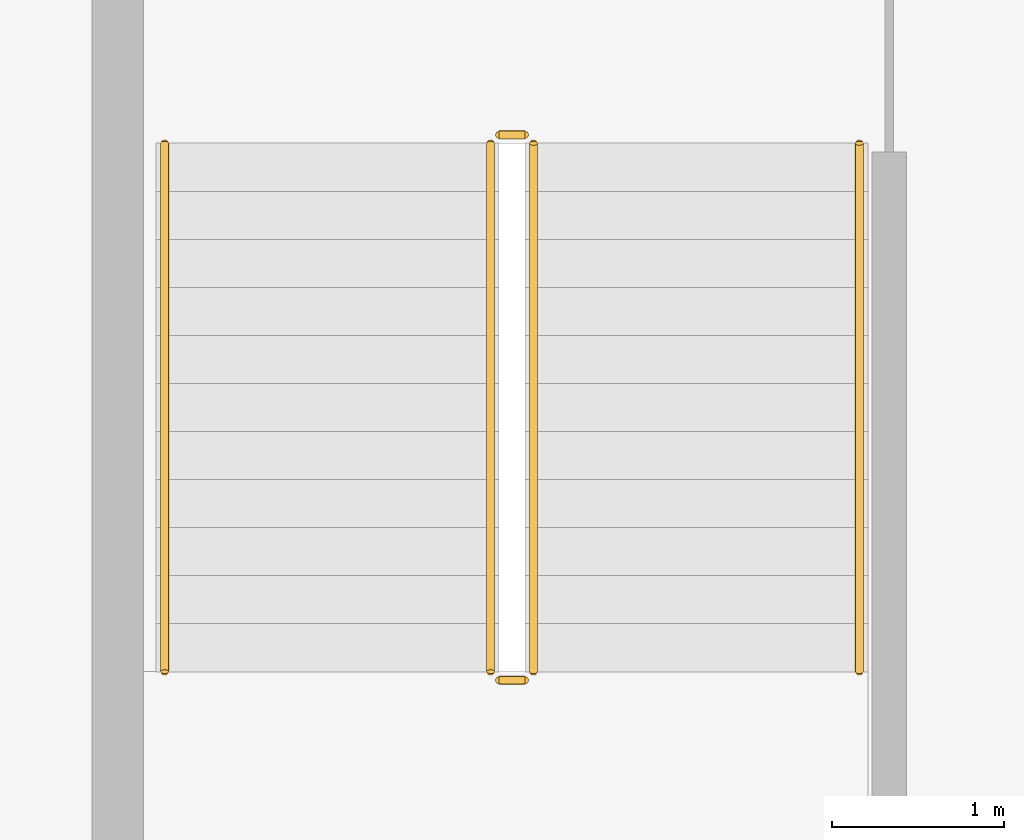
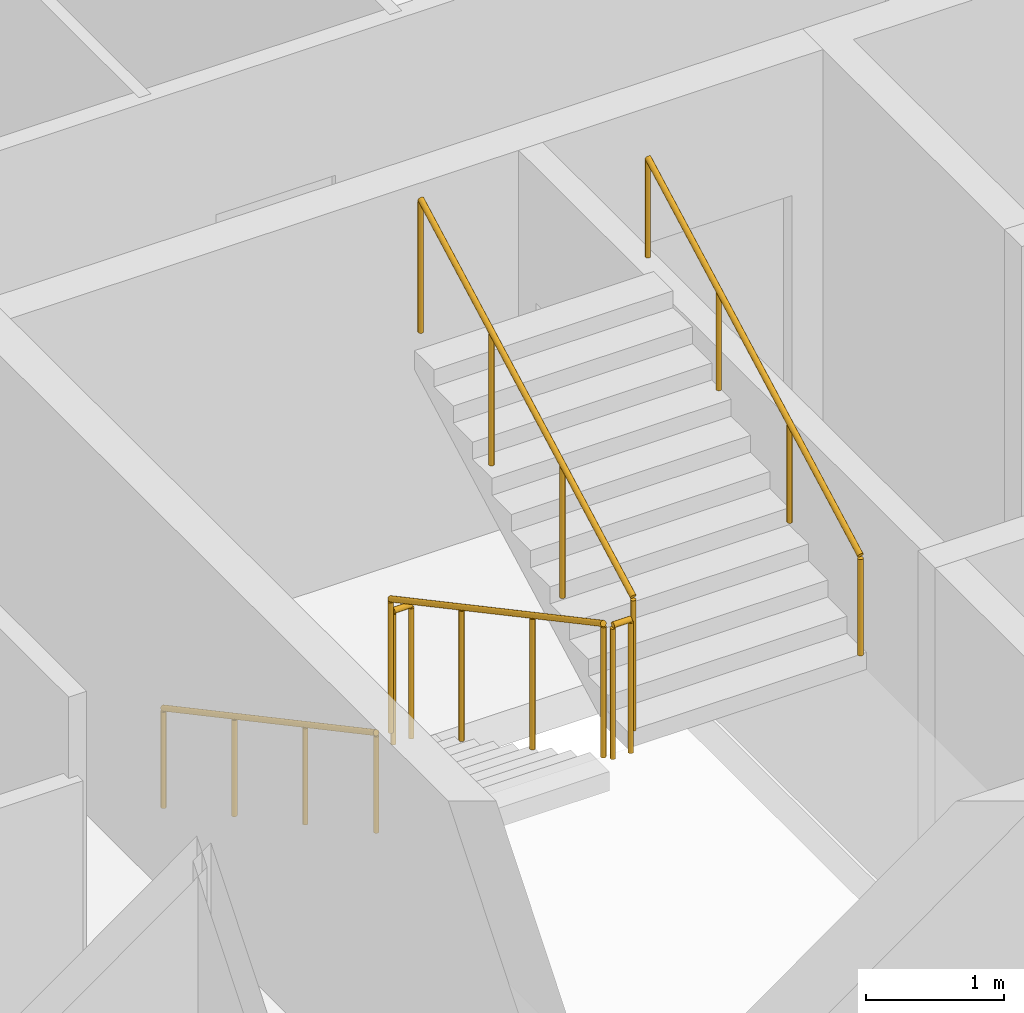
# One storey, part 12 of 14: 6 railings.
"""IFC4 building model written with IfcOpenShell, lengths in metres."""

from ifc_helpers import new_model, si_unit, direction, frame, origin, origin_2d, place, context, subcontext, project, spatial, circle, extrude, material, type_object, element, save


model = new_model("IFC4")

# Units and contexts
model_context = context("Model", 3, precision=1e-05, world=origin(), true_north=direction((0.0, 1.0)))
body_context = subcontext(model_context, "Body", "Model", "MODEL_VIEW")
ifc_project = project(units=[si_unit("LENGTHUNIT", "METRE"), si_unit("AREAUNIT", "SQUARE_METRE"), si_unit("VOLUMEUNIT", "CUBIC_METRE"), si_unit("PLANEANGLEUNIT", "RADIAN"), si_unit("MASSUNIT", "GRAM", prefix="KILO")], contexts=[model_context])

# Site, building, storey
site_placement = place(None, origin())
site = spatial("IfcSite", under=ifc_project, at=site_placement, CompositionType="ELEMENT")
building_placement = place(site_placement, origin())
building = spatial("IfcBuilding", under=site, at=building_placement, Name="Caravel Reach Hotel and Residences", CompositionType="ELEMENT")
storey_placement = place(building_placement, frame((0.0, 0.0, 56.39990234375)))
storey = spatial("IfcBuildingStorey", under=building, at=storey_placement, Name="L12", CompositionType="ELEMENT", Elevation=56.39990234375)

# Railings
ifc_material_1 = material(Name="Steel balustrade with glass infill", Category="steel")
railing_type_1 = type_object("IfcRailingType", Name="Guard 1200", PredefinedType="GUARDRAIL", material=ifc_material_1)
railing_1_placement = place(storey_placement, frame((20.175048828125, 29.35009765625, 0.150146484375)))
element("IfcRailing", 1, at=railing_1_placement, inside=storey, type_object=railing_type_1, Name="L12 ST-A stair guard 1", PredefinedType="GUARDRAIL", context=body_context, shape_type="SweptSolid", body=[
    extrude(circle(Radius=0.02392578125, at=origin_2d()), frame((0.0, 0.0, 1.17578125), z_axis=(0.0, -0.881496589024, 0.472190389079), x_axis=(1.0, 0.0, 0.0)), (0.0, 0.0, 1.0), 3.494140625),
    extrude(circle(Radius=0.02099609375, at=origin_2d()), origin(), (0.0, 0.0, 1.0), 1.15185546875),
    extrude(circle(Radius=0.02099609375, at=origin_2d()), frame((0.0, -1.026611328125, 0.550048828125)), (0.0, 0.0, 1.0), 1.15185546875),
    extrude(circle(Radius=0.02099609375, at=origin_2d()), frame((0.0, -2.053466796875, 1.099853515625)), (0.0, 0.0, 1.0), 1.15185546875),
    extrude(circle(Radius=0.02099609375, at=origin_2d()), frame((0.0, -3.080078125, 1.64990234375)), (0.0, 0.0, 1.0), 1.15185546875),
])
railing_2_placement = place(storey_placement, frame((20.22509765625, 26.219970703125, 1.800048828125)))
element("IfcRailing", 2, at=railing_2_placement, inside=storey, type_object=railing_type_1, Name="L12 ST-A stair guard 2", PredefinedType="GUARDRAIL", context=body_context, shape_type="SweptSolid", body=[
    extrude(circle(Radius=0.02392578125, at=origin_2d()), frame((0.0, 0.0, 1.17578125), z_axis=(1.0, 0.0, 0.0), x_axis=(0.0, 1.0, 0.0)), (0.0, 0.0, 1.0), 0.14990234375),
    extrude(circle(Radius=0.02099609375, at=origin_2d()), origin(), (0.0, 0.0, 1.0), 1.15185546875),
    extrude(circle(Radius=0.02099609375, at=origin_2d()), frame((0.14990234375, 0.0, 0.0)), (0.0, 0.0, 1.0), 1.15185546875),
])
railing_3_placement = place(storey_placement, frame((20.425048828125, 26.27001953125, 1.9501953125)))
element("IfcRailing", 3, at=railing_3_placement, inside=storey, type_object=railing_type_1, Name="L12 ST-A stair guard 3", PredefinedType="GUARDRAIL", context=body_context, shape_type="SweptSolid", body=[
    extrude(circle(Radius=0.02392578125, at=origin_2d()), frame((0.0, 0.0, 1.17578125), z_axis=(0.0, 0.881496589024, 0.472190389079), x_axis=(-1.0, 0.0, 0.0)), (0.0, 0.0, 1.0), 3.494140625),
    extrude(circle(Radius=0.02099609375, at=origin_2d()), origin(), (0.0, 0.0, 1.0), 1.15185546875),
    extrude(circle(Radius=0.02099609375, at=origin_2d()), frame((0.0, 1.026611328125, 0.550048828125)), (0.0, 0.0, 1.0), 1.15185546875),
    extrude(circle(Radius=0.02099609375, at=origin_2d()), frame((0.0, 2.053466796875, 1.099853515625)), (0.0, 0.0, 1.0), 1.15185546875),
    extrude(circle(Radius=0.02099609375, at=origin_2d()), frame((0.0, 3.080078125, 1.64990234375)), (0.0, 0.0, 1.0), 1.15185546875),
])
railing_4_placement = place(storey_placement, frame((20.22509765625, 29.39990234375, 0.0)))
element("IfcRailing", 4, at=railing_4_placement, inside=storey, type_object=railing_type_1, Name="L12 ST-A stair guard 4", PredefinedType="GUARDRAIL", context=body_context, shape_type="SweptSolid", body=[
    extrude(circle(Radius=0.02392578125, at=origin_2d()), frame((0.0, 0.0, 1.17578125), z_axis=(1.0, 0.0, 0.0), x_axis=(0.0, 1.0, 0.0)), (0.0, 0.0, 1.0), 0.14990234375),
    extrude(circle(Radius=0.02099609375, at=origin_2d()), origin(), (0.0, 0.0, 1.0), 1.15185546875),
    extrude(circle(Radius=0.02099609375, at=origin_2d()), frame((0.14990234375, 0.0, 0.0)), (0.0, 0.0, 1.0), 1.15185546875),
])
ifc_material_2 = material(Name="Stainless steel handrail", Category="steel")
railing_type_2 = type_object("IfcRailingType", Name="Handrail 900", PredefinedType="HANDRAIL", material=ifc_material_2)
railing_5_placement = place(storey_placement, frame((18.27490234375, 29.35009765625, 0.150146484375)))
element("IfcRailing", 5, at=railing_5_placement, inside=storey, type_object=railing_type_2, Name="L12 ST-A stair handrail 1", PredefinedType="HANDRAIL", context=body_context, shape_type="SweptSolid", body=[
    extrude(circle(Radius=0.02392578125, at=origin_2d()), frame((0.0, 0.0, 0.8759765625), z_axis=(0.0, -0.881496589024, 0.472190389079), x_axis=(1.0, 0.0, 0.0)), (0.0, 0.0, 1.0), 3.494140625),
    extrude(circle(Radius=0.02099609375, at=origin_2d()), origin(), (0.0, 0.0, 1.0), 0.851806640625),
    extrude(circle(Radius=0.02099609375, at=origin_2d()), frame((0.0, -1.026611328125, 0.550048828125)), (0.0, 0.0, 1.0), 0.851806640625),
    extrude(circle(Radius=0.02099609375, at=origin_2d()), frame((0.0, -2.053466796875, 1.099853515625)), (0.0, 0.0, 1.0), 0.851806640625),
    extrude(circle(Radius=0.02099609375, at=origin_2d()), frame((0.0, -3.080078125, 1.64990234375)), (0.0, 0.0, 1.0), 0.851806640625),
])
railing_6_placement = place(storey_placement, frame((22.324951171875, 26.27001953125, 1.9501953125)))
element("IfcRailing", 6, at=railing_6_placement, inside=storey, type_object=railing_type_2, Name="L12 ST-A stair handrail 2", PredefinedType="HANDRAIL", context=body_context, shape_type="SweptSolid", body=[
    extrude(circle(Radius=0.02392578125, at=origin_2d()), frame((0.0, 0.0, 0.8759765625), z_axis=(0.0, 0.881496589024, 0.472190389079), x_axis=(-1.0, 0.0, 0.0)), (0.0, 0.0, 1.0), 3.494140625),
    extrude(circle(Radius=0.02099609375, at=origin_2d()), origin(), (0.0, 0.0, 1.0), 0.851806640625),
    extrude(circle(Radius=0.02099609375, at=origin_2d()), frame((0.0, 1.026611328125, 0.550048828125)), (0.0, 0.0, 1.0), 0.851806640625),
    extrude(circle(Radius=0.02099609375, at=origin_2d()), frame((0.0, 2.053466796875, 1.099853515625)), (0.0, 0.0, 1.0), 0.851806640625),
    extrude(circle(Radius=0.02099609375, at=origin_2d()), frame((0.0, 3.080078125, 1.64990234375)), (0.0, 0.0, 1.0), 0.851806640625),
])

save(model, "model.ifc")
